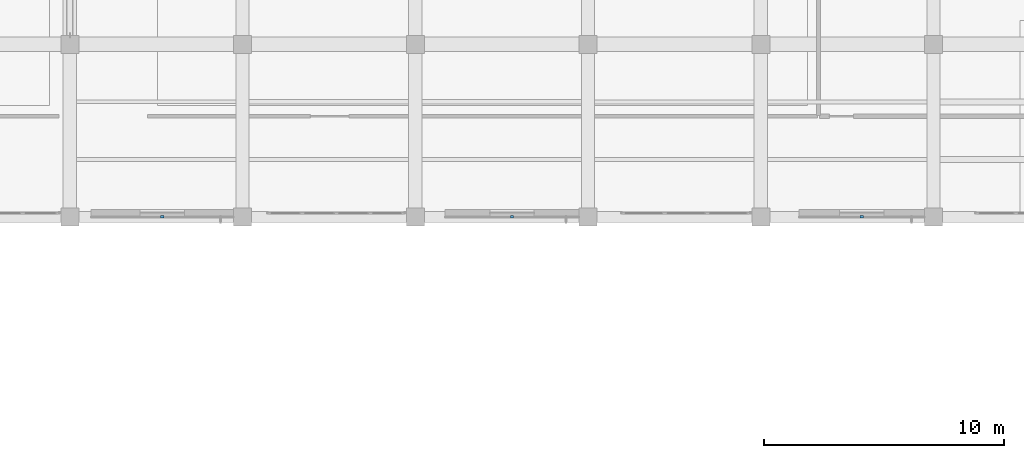
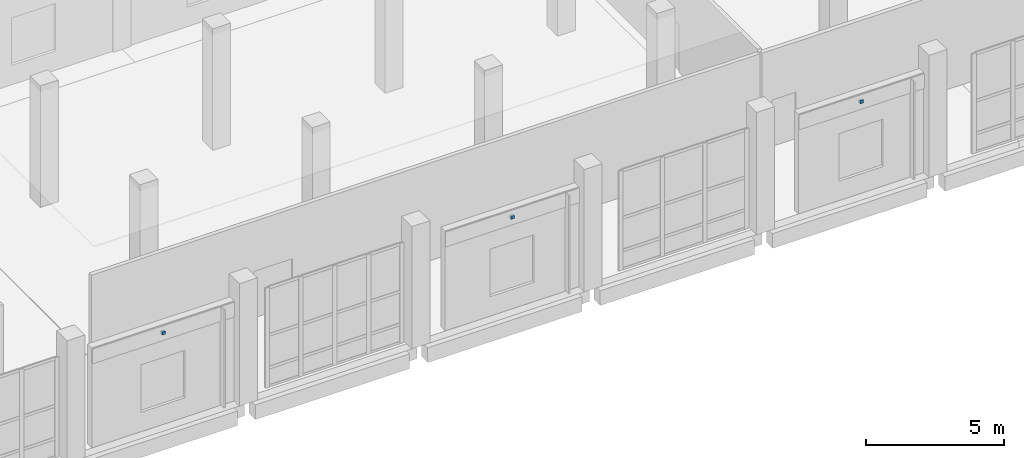
# One storey, part 115 of 137: 3 discrete accessories.
"""IFC4 building model written with IfcOpenShell, lengths in metres."""

from ifc_helpers import new_model, si_unit, direction, frame, origin, origin_2d, place, context, subcontext, project, spatial, rectangle, extrude, material, type_object, element, save


model = new_model("IFC4")

# Units and contexts
model_context = context("Model", 3, precision=1e-05, world=origin(), true_north=direction((0.0, 1.0)))
body_context = subcontext(model_context, "Body", "Model", "MODEL_VIEW")
ifc_project = project(units=[si_unit("LENGTHUNIT", "METRE"), si_unit("AREAUNIT", "SQUARE_METRE"), si_unit("VOLUMEUNIT", "CUBIC_METRE"), si_unit("PLANEANGLEUNIT", "RADIAN"), si_unit("MASSUNIT", "GRAM", prefix="KILO")], contexts=[model_context])

# Site, building, storey
site_placement = place(None, origin())
site = spatial("IfcSite", under=ifc_project, at=site_placement, CompositionType="ELEMENT")
building_placement = place(site_placement, origin())
building = spatial("IfcBuilding", under=site, at=building_placement, Name="Kalmorath City Hall", CompositionType="ELEMENT")
storey_placement = place(building_placement, origin())
storey = spatial("IfcBuildingStorey", under=building, at=storey_placement, Name="L00", CompositionType="ELEMENT", Elevation=0.0)

# Discrete accessories
ifc_material = material(Name="Stainless steel Grade 316", Category="steel")
discrete_accessory_type = type_object("IfcDiscreteAccessoryType", Name="Stainless rainscreen support bracket", PredefinedType="BRACKET", material=ifc_material)
for number, where, z_axis, x_axis, name in (
    (1, (97.80810546875, 93.610107421875, 3.9912109375), (0.0, 0.0, 1.0), (-1.0, 0.0, 0.0), "L00 basalt anchor bracket #15"),
    (2, (83.231201171875, 93.610107421875, 3.9912109375), (0.0, 0.0, 1.0), (-1.0, 0.0, 0.0), "L00 basalt anchor bracket #16"),
    (3, (68.654296875, 93.610107421875, 3.9912109375), (0.0, 0.0, 1.0), (-1.0, 0.0, 0.0), "L00 basalt anchor bracket #17"),
):
    element("IfcDiscreteAccessory", number, at=place(storey_placement, frame(where, z_axis=z_axis, x_axis=x_axis)), inside=storey, type_object=discrete_accessory_type, Name=name, PredefinedType="BRACKET", context=body_context, shape_type="SweptSolid", body=[
        extrude(rectangle(XDim=0.139892578125, YDim=0.10009765625, at=origin_2d()), origin(), (0.0, 0.0, 1.0), 0.139892578125),
    ])

save(model, "model.ifc")
